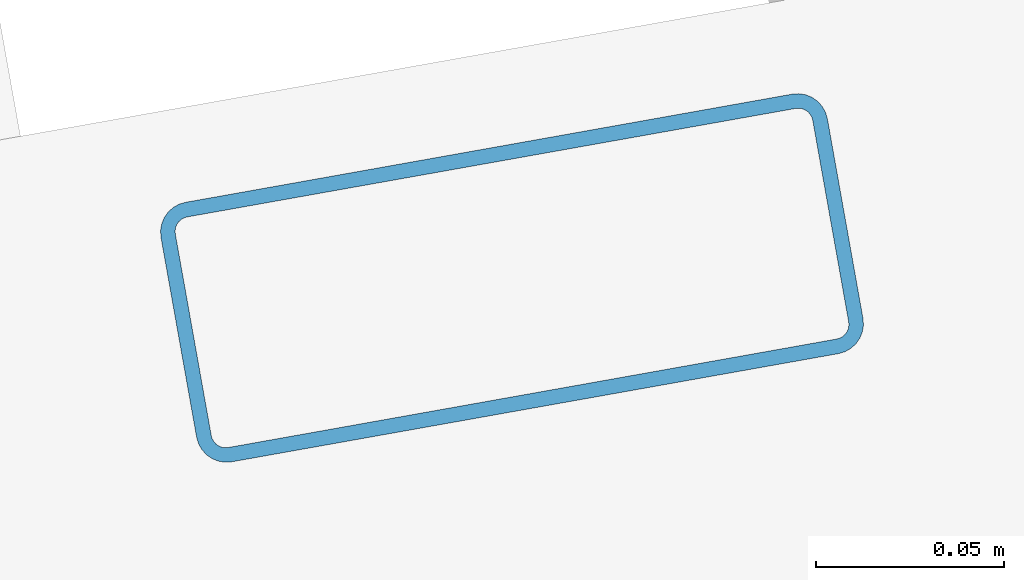
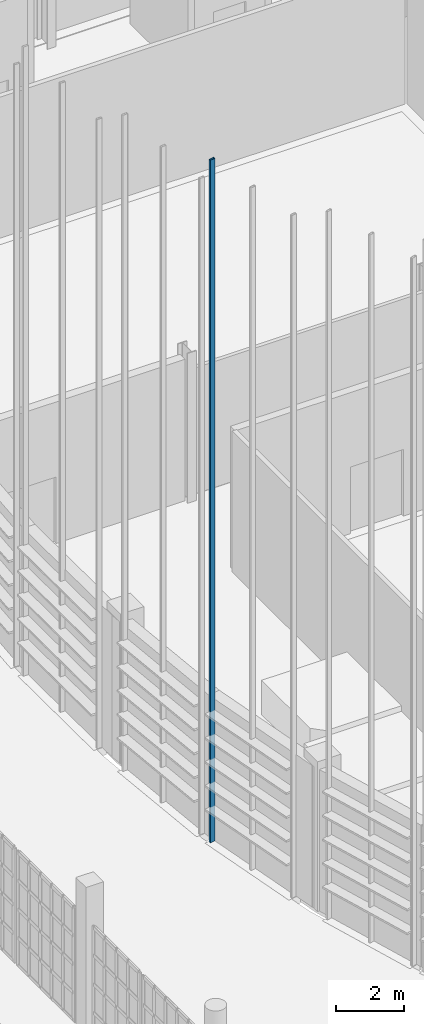
# One storey, part 82 of 372: 1 member.
"""IFC4 building model written with IfcOpenShell, lengths in metres."""

from ifc_helpers import new_model, si_unit, direction, frame, origin, origin_2d, place, context, subcontext, project, spatial, hollow_rectangle, extrude, material, material_profile, profile_set, type_object, element, save


model = new_model("IFC4")

# Units and contexts
model_context = context("Model", 3, precision=1e-05, world=origin(), true_north=direction((0.0, 1.0)))
body_context = subcontext(model_context, "Body", "Model", "MODEL_VIEW")
ifc_project = project(units=[si_unit("LENGTHUNIT", "METRE"), si_unit("AREAUNIT", "SQUARE_METRE"), si_unit("VOLUMEUNIT", "CUBIC_METRE"), si_unit("PLANEANGLEUNIT", "RADIAN"), si_unit("MASSUNIT", "GRAM", prefix="KILO")], contexts=[model_context])

# Site, building, storey
site_placement = place(None, origin())
site = spatial("IfcSite", under=ifc_project, at=site_placement, CompositionType="ELEMENT")
building_placement = place(site_placement, origin())
building = spatial("IfcBuilding", under=site, at=building_placement, Name="Kaelora Sail Theatre", CompositionType="ELEMENT")
storey_placement = place(building_placement, origin())
storey = spatial("IfcBuildingStorey", under=building, at=storey_placement, Name="L00", CompositionType="ELEMENT", Elevation=0.0)

# Member
ifc_material = material(Name="Anodised aluminium 6063-T6", Category="aluminium")
ifc_material_profile = material_profile(ifc_material, hollow_rectangle(XDim=0.070068359375, YDim=0.179931640625, WallThickness=0.00390625, InnerFilletRadius=0.00390625, OuterFilletRadius=0.008056640625, at=origin_2d()), Name="ALU-MULL 70x180x4")
ifc_profile_set = profile_set([ifc_material_profile], Name="Anodised aluminium 6063-T6")
member_type = type_object("IfcMemberType", Name="ARC-MEM-PST-160", PredefinedType="POST", material=ifc_profile_set)
member_placement = place(storey_placement, frame((25.66943359375, 45.284423828125, 0.0), z_axis=(0.0, 0.0, 1.0), x_axis=(-0.17553855164, 0.984472557712, 0.0)))
element("IfcMember", 1, at=member_placement, inside=storey, type_object=member_type, Name="Main Theatre Sail Drum solar louvre vertical support post C19-3", PredefinedType="POST", context=body_context, shape_type="SweptSolid", body=[
    extrude(hollow_rectangle(XDim=0.070068359375, YDim=0.179931640625, WallThickness=0.00390625, InnerFilletRadius=0.00390625, OuterFilletRadius=0.008056640625, at=origin_2d()), origin(), (0.0, 0.0, 1.0), 24.617919921875),
])

save(model, "model.ifc")
